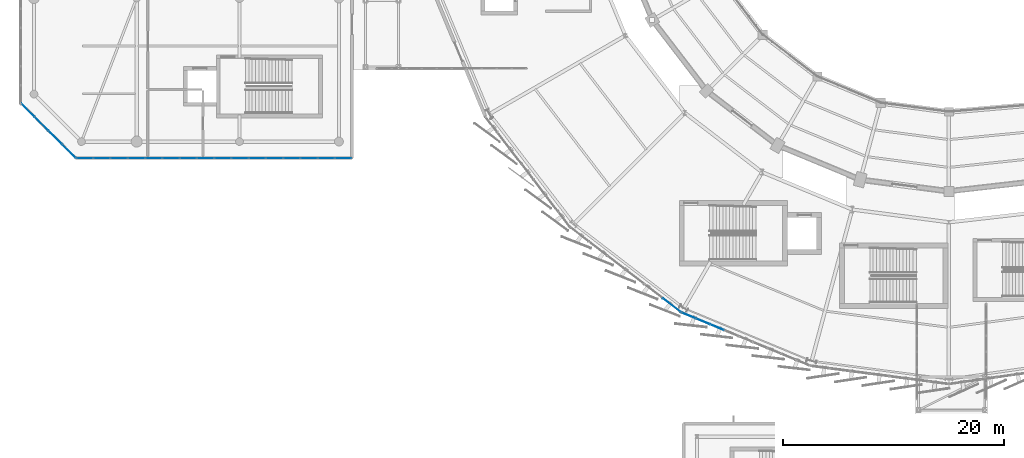
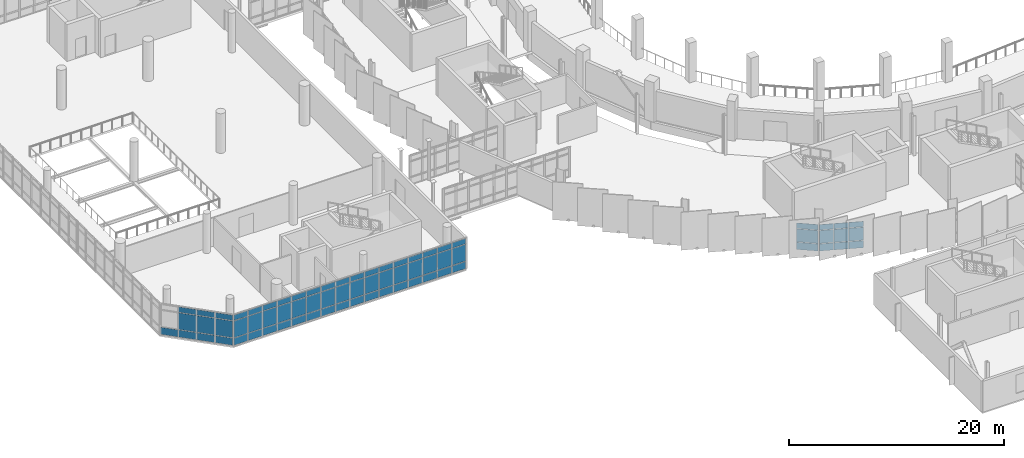
# One storey, part 79 of 125: 70 plates, 4 elements without a shape of their own.
"""IFC4 building model written with IfcOpenShell, lengths in metres."""

from ifc_helpers import new_model, si_unit, direction, frame, origin, origin_2d, place, context, subcontext, project, spatial, rectangle, extrude, material, layer, layer_set, type_object, element, aggregate, save


model = new_model("IFC4")

# Units and contexts
model_context = context("Model", 3, precision=1e-05, world=origin(), true_north=direction((0.0, 1.0)))
body_context = subcontext(model_context, "Body", "Model", "MODEL_VIEW")
ifc_project = project(units=[si_unit("LENGTHUNIT", "METRE"), si_unit("AREAUNIT", "SQUARE_METRE"), si_unit("VOLUMEUNIT", "CUBIC_METRE"), si_unit("PLANEANGLEUNIT", "RADIAN"), si_unit("MASSUNIT", "GRAM", prefix="KILO")], contexts=[model_context])

# Site, building, storey
site_placement = place(None, origin())
site = spatial("IfcSite", under=ifc_project, at=site_placement, CompositionType="ELEMENT")
building_placement = place(site_placement, origin())
building = spatial("IfcBuilding", under=site, at=building_placement, Name="Sohan Crest Arena", CompositionType="ELEMENT")
storey_placement = place(building_placement, frame((0.0, 0.0, 9.0)))
storey = spatial("IfcBuildingStorey", under=building, at=storey_placement, Name="L02", CompositionType="ELEMENT", Elevation=9.0)

# Curtain wall, plates
ifc_material_1 = material(Name="Thermally broken anodised aluminium", Category="aluminium")
ifc_layer_1 = layer(ifc_material_1, 0.199951171875, Name="Thermally broken anodised aluminium")
ifc_layer_set_1 = layer_set([ifc_layer_1], Name="Thermally broken anodised aluminium")
curtain_wall_type_1 = type_object("IfcCurtainWallType", Name="ARC-CW02", PredefinedType="NOTDEFINED", material=ifc_layer_set_1)
curtain_wall_1_placement = place(storey_placement, origin())
curtain_wall_1 = element("IfcCurtainWall", 1, at=curtain_wall_1_placement, inside=storey, type_object=curtain_wall_type_1, Name="Unitised curtain wall CW-213", PredefinedType="NOTDEFINED")
ifc_material_2 = material(Name="Low-E double-glazed insulated glass", Category="glass")
ifc_layer_2 = layer(ifc_material_2, 0.028076171875, Name="Low-E double-glazed insulated glass")
ifc_layer_set_2 = layer_set([ifc_layer_2], Name="Low-E double-glazed insulated glass")
plate_type_1 = type_object("IfcPlateType", Name="ARC-CNP01", PredefinedType="CURTAIN_PANEL", material=ifc_layer_set_2)
plate_1_placement = place(storey_placement, frame((19.797607421875, 50.0, 0.06005859375), z_axis=(0.0, 0.0, 1.0), x_axis=(1.0, 0.0, 0.0)))
plate_1 = element("IfcPlate", 2, at=plate_1_placement, type_object=plate_type_1, Name="CW-213 panel 1.1", PredefinedType="CURTAIN_PANEL", context=body_context, shape_type="SweptSolid", body=[
    extrude(rectangle(XDim=1.465087890625, YDim=0.028076171875, at=origin_2d()), origin(), (0.0, 0.0, 1.0), 0.81005859375),
])
plate_2_placement = place(storey_placement, frame((19.797607421875, 50.0, 0.93017578125), z_axis=(0.0, 0.0, 1.0), x_axis=(1.0, 0.0, 0.0)))
plate_2 = element("IfcPlate", 3, at=plate_2_placement, type_object=plate_type_1, Name="CW-213 panel 1.2", PredefinedType="CURTAIN_PANEL", context=body_context, shape_type="SweptSolid", body=[
    extrude(rectangle(XDim=1.465087890625, YDim=0.028076171875, at=origin_2d()), origin(), (0.0, 0.0, 1.0), 1.889892578125),
])
plate_3_placement = place(storey_placement, frame((19.797607421875, 50.0, 2.8798828125), z_axis=(0.0, 0.0, 1.0), x_axis=(1.0, 0.0, 0.0)))
plate_3 = element("IfcPlate", 4, at=plate_3_placement, type_object=plate_type_1, Name="CW-213 panel 1.3", PredefinedType="CURTAIN_PANEL", context=body_context, shape_type="SweptSolid", body=[
    extrude(rectangle(XDim=1.465087890625, YDim=0.028076171875, at=origin_2d()), origin(), (0.0, 0.0, 1.0), 0.610107421875),
])
plate_4_placement = place(storey_placement, frame((21.34375, 50.0, 0.06005859375), z_axis=(0.0, 0.0, 1.0), x_axis=(1.0, 0.0, 0.0)))
plate_4 = element("IfcPlate", 5, at=plate_4_placement, type_object=plate_type_1, Name="CW-213 panel 2.1", PredefinedType="CURTAIN_PANEL", context=body_context, shape_type="SweptSolid", body=[
    extrude(rectangle(XDim=1.49755859375, YDim=0.028076171875, at=origin_2d()), origin(), (0.0, 0.0, 1.0), 0.81005859375),
])
plate_5_placement = place(storey_placement, frame((21.34375, 50.0, 0.93017578125), z_axis=(0.0, 0.0, 1.0), x_axis=(1.0, 0.0, 0.0)))
plate_5 = element("IfcPlate", 6, at=plate_5_placement, type_object=plate_type_1, Name="CW-213 panel 2.2", PredefinedType="CURTAIN_PANEL", context=body_context, shape_type="SweptSolid", body=[
    extrude(rectangle(XDim=1.49755859375, YDim=0.028076171875, at=origin_2d()), origin(), (0.0, 0.0, 1.0), 1.889892578125),
])
plate_6_placement = place(storey_placement, frame((21.34375, 50.0, 2.8798828125), z_axis=(0.0, 0.0, 1.0), x_axis=(1.0, 0.0, 0.0)))
plate_6 = element("IfcPlate", 7, at=plate_6_placement, type_object=plate_type_1, Name="CW-213 panel 2.3", PredefinedType="CURTAIN_PANEL", context=body_context, shape_type="SweptSolid", body=[
    extrude(rectangle(XDim=1.49755859375, YDim=0.028076171875, at=origin_2d()), origin(), (0.0, 0.0, 1.0), 0.610107421875),
])
plate_7_placement = place(storey_placement, frame((22.90625, 50.0, 0.06005859375), z_axis=(0.0, 0.0, 1.0), x_axis=(1.0, 0.0, 0.0)))
plate_7 = element("IfcPlate", 8, at=plate_7_placement, type_object=plate_type_1, Name="CW-213 panel 3.1", PredefinedType="CURTAIN_PANEL", context=body_context, shape_type="SweptSolid", body=[
    extrude(rectangle(XDim=1.49755859375, YDim=0.028076171875, at=origin_2d()), origin(), (0.0, 0.0, 1.0), 0.81005859375),
])
plate_8_placement = place(storey_placement, frame((22.90625, 50.0, 0.93017578125), z_axis=(0.0, 0.0, 1.0), x_axis=(1.0, 0.0, 0.0)))
plate_8 = element("IfcPlate", 9, at=plate_8_placement, type_object=plate_type_1, Name="CW-213 panel 3.2", PredefinedType="CURTAIN_PANEL", context=body_context, shape_type="SweptSolid", body=[
    extrude(rectangle(XDim=1.49755859375, YDim=0.028076171875, at=origin_2d()), origin(), (0.0, 0.0, 1.0), 1.889892578125),
])
plate_9_placement = place(storey_placement, frame((22.90625, 50.0, 2.8798828125), z_axis=(0.0, 0.0, 1.0), x_axis=(1.0, 0.0, 0.0)))
plate_9 = element("IfcPlate", 10, at=plate_9_placement, type_object=plate_type_1, Name="CW-213 panel 3.3", PredefinedType="CURTAIN_PANEL", context=body_context, shape_type="SweptSolid", body=[
    extrude(rectangle(XDim=1.49755859375, YDim=0.028076171875, at=origin_2d()), origin(), (0.0, 0.0, 1.0), 0.610107421875),
])
plate_10_placement = place(storey_placement, frame((24.46875, 50.0, 0.06005859375), z_axis=(0.0, 0.0, 1.0), x_axis=(1.0, 0.0, 0.0)))
plate_10 = element("IfcPlate", 11, at=plate_10_placement, type_object=plate_type_1, Name="CW-213 panel 4.1", PredefinedType="CURTAIN_PANEL", context=body_context, shape_type="SweptSolid", body=[
    extrude(rectangle(XDim=1.49755859375, YDim=0.028076171875, at=origin_2d()), origin(), (0.0, 0.0, 1.0), 0.81005859375),
])
plate_11_placement = place(storey_placement, frame((24.46875, 50.0, 0.93017578125), z_axis=(0.0, 0.0, 1.0), x_axis=(1.0, 0.0, 0.0)))
plate_11 = element("IfcPlate", 12, at=plate_11_placement, type_object=plate_type_1, Name="CW-213 panel 4.2", PredefinedType="CURTAIN_PANEL", context=body_context, shape_type="SweptSolid", body=[
    extrude(rectangle(XDim=1.49755859375, YDim=0.028076171875, at=origin_2d()), origin(), (0.0, 0.0, 1.0), 1.889892578125),
])
plate_12_placement = place(storey_placement, frame((24.46875, 50.0, 2.8798828125), z_axis=(0.0, 0.0, 1.0), x_axis=(1.0, 0.0, 0.0)))
plate_12 = element("IfcPlate", 13, at=plate_12_placement, type_object=plate_type_1, Name="CW-213 panel 4.3", PredefinedType="CURTAIN_PANEL", context=body_context, shape_type="SweptSolid", body=[
    extrude(rectangle(XDim=1.49755859375, YDim=0.028076171875, at=origin_2d()), origin(), (0.0, 0.0, 1.0), 0.610107421875),
])
plate_13_placement = place(storey_placement, frame((26.03125, 50.0, 0.06005859375), z_axis=(0.0, 0.0, 1.0), x_axis=(1.0, 0.0, 0.0)))
plate_13 = element("IfcPlate", 14, at=plate_13_placement, type_object=plate_type_1, Name="CW-213 panel 5.1", PredefinedType="CURTAIN_PANEL", context=body_context, shape_type="SweptSolid", body=[
    extrude(rectangle(XDim=1.49755859375, YDim=0.028076171875, at=origin_2d()), origin(), (0.0, 0.0, 1.0), 0.81005859375),
])
plate_14_placement = place(storey_placement, frame((26.03125, 50.0, 0.93017578125), z_axis=(0.0, 0.0, 1.0), x_axis=(1.0, 0.0, 0.0)))
plate_14 = element("IfcPlate", 15, at=plate_14_placement, type_object=plate_type_1, Name="CW-213 panel 5.2", PredefinedType="CURTAIN_PANEL", context=body_context, shape_type="SweptSolid", body=[
    extrude(rectangle(XDim=1.49755859375, YDim=0.028076171875, at=origin_2d()), origin(), (0.0, 0.0, 1.0), 1.889892578125),
])
plate_15_placement = place(storey_placement, frame((26.03125, 50.0, 2.8798828125), z_axis=(0.0, 0.0, 1.0), x_axis=(1.0, 0.0, 0.0)))
plate_15 = element("IfcPlate", 16, at=plate_15_placement, type_object=plate_type_1, Name="CW-213 panel 5.3", PredefinedType="CURTAIN_PANEL", context=body_context, shape_type="SweptSolid", body=[
    extrude(rectangle(XDim=1.49755859375, YDim=0.028076171875, at=origin_2d()), origin(), (0.0, 0.0, 1.0), 0.610107421875),
])
plate_16_placement = place(storey_placement, frame((27.59375, 50.0, 0.06005859375), z_axis=(0.0, 0.0, 1.0), x_axis=(1.0, 0.0, 0.0)))
plate_16 = element("IfcPlate", 17, at=plate_16_placement, type_object=plate_type_1, Name="CW-213 panel 6.1", PredefinedType="CURTAIN_PANEL", context=body_context, shape_type="SweptSolid", body=[
    extrude(rectangle(XDim=1.49755859375, YDim=0.028076171875, at=origin_2d()), origin(), (0.0, 0.0, 1.0), 0.81005859375),
])
plate_17_placement = place(storey_placement, frame((27.59375, 50.0, 0.93017578125), z_axis=(0.0, 0.0, 1.0), x_axis=(1.0, 0.0, 0.0)))
plate_17 = element("IfcPlate", 18, at=plate_17_placement, type_object=plate_type_1, Name="CW-213 panel 6.2", PredefinedType="CURTAIN_PANEL", context=body_context, shape_type="SweptSolid", body=[
    extrude(rectangle(XDim=1.49755859375, YDim=0.028076171875, at=origin_2d()), origin(), (0.0, 0.0, 1.0), 1.889892578125),
])
plate_18_placement = place(storey_placement, frame((27.59375, 50.0, 2.8798828125), z_axis=(0.0, 0.0, 1.0), x_axis=(1.0, 0.0, 0.0)))
plate_18 = element("IfcPlate", 19, at=plate_18_placement, type_object=plate_type_1, Name="CW-213 panel 6.3", PredefinedType="CURTAIN_PANEL", context=body_context, shape_type="SweptSolid", body=[
    extrude(rectangle(XDim=1.49755859375, YDim=0.028076171875, at=origin_2d()), origin(), (0.0, 0.0, 1.0), 0.610107421875),
])
plate_19_placement = place(storey_placement, frame((29.15625, 50.0, 0.06005859375), z_axis=(0.0, 0.0, 1.0), x_axis=(1.0, 0.0, 0.0)))
plate_19 = element("IfcPlate", 20, at=plate_19_placement, type_object=plate_type_1, Name="CW-213 panel 7.1", PredefinedType="CURTAIN_PANEL", context=body_context, shape_type="SweptSolid", body=[
    extrude(rectangle(XDim=1.49755859375, YDim=0.028076171875, at=origin_2d()), origin(), (0.0, 0.0, 1.0), 0.81005859375),
])
plate_20_placement = place(storey_placement, frame((29.15625, 50.0, 0.93017578125), z_axis=(0.0, 0.0, 1.0), x_axis=(1.0, 0.0, 0.0)))
plate_20 = element("IfcPlate", 21, at=plate_20_placement, type_object=plate_type_1, Name="CW-213 panel 7.2", PredefinedType="CURTAIN_PANEL", context=body_context, shape_type="SweptSolid", body=[
    extrude(rectangle(XDim=1.49755859375, YDim=0.028076171875, at=origin_2d()), origin(), (0.0, 0.0, 1.0), 1.889892578125),
])
plate_21_placement = place(storey_placement, frame((29.15625, 50.0, 2.8798828125), z_axis=(0.0, 0.0, 1.0), x_axis=(1.0, 0.0, 0.0)))
plate_21 = element("IfcPlate", 22, at=plate_21_placement, type_object=plate_type_1, Name="CW-213 panel 7.3", PredefinedType="CURTAIN_PANEL", context=body_context, shape_type="SweptSolid", body=[
    extrude(rectangle(XDim=1.49755859375, YDim=0.028076171875, at=origin_2d()), origin(), (0.0, 0.0, 1.0), 0.610107421875),
])
plate_22_placement = place(storey_placement, frame((30.71875, 50.0, 0.06005859375), z_axis=(0.0, 0.0, 1.0), x_axis=(1.0, 0.0, 0.0)))
plate_22 = element("IfcPlate", 23, at=plate_22_placement, type_object=plate_type_1, Name="CW-213 panel 8.1", PredefinedType="CURTAIN_PANEL", context=body_context, shape_type="SweptSolid", body=[
    extrude(rectangle(XDim=1.49755859375, YDim=0.028076171875, at=origin_2d()), origin(), (0.0, 0.0, 1.0), 0.81005859375),
])
plate_23_placement = place(storey_placement, frame((30.71875, 50.0, 0.93017578125), z_axis=(0.0, 0.0, 1.0), x_axis=(1.0, 0.0, 0.0)))
plate_23 = element("IfcPlate", 24, at=plate_23_placement, type_object=plate_type_1, Name="CW-213 panel 8.2", PredefinedType="CURTAIN_PANEL", context=body_context, shape_type="SweptSolid", body=[
    extrude(rectangle(XDim=1.49755859375, YDim=0.028076171875, at=origin_2d()), origin(), (0.0, 0.0, 1.0), 1.889892578125),
])
plate_24_placement = place(storey_placement, frame((30.71875, 50.0, 2.8798828125), z_axis=(0.0, 0.0, 1.0), x_axis=(1.0, 0.0, 0.0)))
plate_24 = element("IfcPlate", 25, at=plate_24_placement, type_object=plate_type_1, Name="CW-213 panel 8.3", PredefinedType="CURTAIN_PANEL", context=body_context, shape_type="SweptSolid", body=[
    extrude(rectangle(XDim=1.49755859375, YDim=0.028076171875, at=origin_2d()), origin(), (0.0, 0.0, 1.0), 0.610107421875),
])
plate_25_placement = place(storey_placement, frame((32.28125, 50.0, 0.06005859375), z_axis=(0.0, 0.0, 1.0), x_axis=(1.0, 0.0, 0.0)))
plate_25 = element("IfcPlate", 26, at=plate_25_placement, type_object=plate_type_1, Name="CW-213 panel 9.1", PredefinedType="CURTAIN_PANEL", context=body_context, shape_type="SweptSolid", body=[
    extrude(rectangle(XDim=1.49755859375, YDim=0.028076171875, at=origin_2d()), origin(), (0.0, 0.0, 1.0), 0.81005859375),
])
plate_26_placement = place(storey_placement, frame((32.28125, 50.0, 0.93017578125), z_axis=(0.0, 0.0, 1.0), x_axis=(1.0, 0.0, 0.0)))
plate_26 = element("IfcPlate", 27, at=plate_26_placement, type_object=plate_type_1, Name="CW-213 panel 9.2", PredefinedType="CURTAIN_PANEL", context=body_context, shape_type="SweptSolid", body=[
    extrude(rectangle(XDim=1.49755859375, YDim=0.028076171875, at=origin_2d()), origin(), (0.0, 0.0, 1.0), 1.889892578125),
])
plate_27_placement = place(storey_placement, frame((32.28125, 50.0, 2.8798828125), z_axis=(0.0, 0.0, 1.0), x_axis=(1.0, 0.0, 0.0)))
plate_27 = element("IfcPlate", 28, at=plate_27_placement, type_object=plate_type_1, Name="CW-213 panel 9.3", PredefinedType="CURTAIN_PANEL", context=body_context, shape_type="SweptSolid", body=[
    extrude(rectangle(XDim=1.49755859375, YDim=0.028076171875, at=origin_2d()), origin(), (0.0, 0.0, 1.0), 0.610107421875),
])
plate_28_placement = place(storey_placement, frame((33.84375, 50.0, 0.06005859375), z_axis=(0.0, 0.0, 1.0), x_axis=(1.0, 0.0, 0.0)))
plate_28 = element("IfcPlate", 29, at=plate_28_placement, type_object=plate_type_1, Name="CW-213 panel 10.1", PredefinedType="CURTAIN_PANEL", context=body_context, shape_type="SweptSolid", body=[
    extrude(rectangle(XDim=1.49755859375, YDim=0.028076171875, at=origin_2d()), origin(), (0.0, 0.0, 1.0), 0.81005859375),
])
plate_29_placement = place(storey_placement, frame((33.84375, 50.0, 0.93017578125), z_axis=(0.0, 0.0, 1.0), x_axis=(1.0, 0.0, 0.0)))
plate_29 = element("IfcPlate", 30, at=plate_29_placement, type_object=plate_type_1, Name="CW-213 panel 10.2", PredefinedType="CURTAIN_PANEL", context=body_context, shape_type="SweptSolid", body=[
    extrude(rectangle(XDim=1.49755859375, YDim=0.028076171875, at=origin_2d()), origin(), (0.0, 0.0, 1.0), 1.889892578125),
])
plate_30_placement = place(storey_placement, frame((33.84375, 50.0, 2.8798828125), z_axis=(0.0, 0.0, 1.0), x_axis=(1.0, 0.0, 0.0)))
plate_30 = element("IfcPlate", 31, at=plate_30_placement, type_object=plate_type_1, Name="CW-213 panel 10.3", PredefinedType="CURTAIN_PANEL", context=body_context, shape_type="SweptSolid", body=[
    extrude(rectangle(XDim=1.49755859375, YDim=0.028076171875, at=origin_2d()), origin(), (0.0, 0.0, 1.0), 0.610107421875),
])
plate_31_placement = place(storey_placement, frame((35.40625, 50.0, 0.06005859375), z_axis=(0.0, 0.0, 1.0), x_axis=(1.0, 0.0, 0.0)))
plate_31 = element("IfcPlate", 32, at=plate_31_placement, type_object=plate_type_1, Name="CW-213 panel 11.1", PredefinedType="CURTAIN_PANEL", context=body_context, shape_type="SweptSolid", body=[
    extrude(rectangle(XDim=1.49755859375, YDim=0.028076171875, at=origin_2d()), origin(), (0.0, 0.0, 1.0), 0.81005859375),
])
plate_32_placement = place(storey_placement, frame((35.40625, 50.0, 0.93017578125), z_axis=(0.0, 0.0, 1.0), x_axis=(1.0, 0.0, 0.0)))
plate_32 = element("IfcPlate", 33, at=plate_32_placement, type_object=plate_type_1, Name="CW-213 panel 11.2", PredefinedType="CURTAIN_PANEL", context=body_context, shape_type="SweptSolid", body=[
    extrude(rectangle(XDim=1.49755859375, YDim=0.028076171875, at=origin_2d()), origin(), (0.0, 0.0, 1.0), 1.889892578125),
])
plate_33_placement = place(storey_placement, frame((35.40625, 50.0, 2.8798828125), z_axis=(0.0, 0.0, 1.0), x_axis=(1.0, 0.0, 0.0)))
plate_33 = element("IfcPlate", 34, at=plate_33_placement, type_object=plate_type_1, Name="CW-213 panel 11.3", PredefinedType="CURTAIN_PANEL", context=body_context, shape_type="SweptSolid", body=[
    extrude(rectangle(XDim=1.49755859375, YDim=0.028076171875, at=origin_2d()), origin(), (0.0, 0.0, 1.0), 0.610107421875),
])
plate_34_placement = place(storey_placement, frame((36.96875, 50.0, 0.06005859375), z_axis=(0.0, 0.0, 1.0), x_axis=(1.0, 0.0, 0.0)))
plate_34 = element("IfcPlate", 35, at=plate_34_placement, type_object=plate_type_1, Name="CW-213 panel 12.1", PredefinedType="CURTAIN_PANEL", context=body_context, shape_type="SweptSolid", body=[
    extrude(rectangle(XDim=1.49755859375, YDim=0.028076171875, at=origin_2d()), origin(), (0.0, 0.0, 1.0), 0.81005859375),
])
plate_35_placement = place(storey_placement, frame((36.96875, 50.0, 0.93017578125), z_axis=(0.0, 0.0, 1.0), x_axis=(1.0, 0.0, 0.0)))
plate_35 = element("IfcPlate", 36, at=plate_35_placement, type_object=plate_type_1, Name="CW-213 panel 12.2", PredefinedType="CURTAIN_PANEL", context=body_context, shape_type="SweptSolid", body=[
    extrude(rectangle(XDim=1.49755859375, YDim=0.028076171875, at=origin_2d()), origin(), (0.0, 0.0, 1.0), 1.889892578125),
])
plate_36_placement = place(storey_placement, frame((36.96875, 50.0, 2.8798828125), z_axis=(0.0, 0.0, 1.0), x_axis=(1.0, 0.0, 0.0)))
plate_36 = element("IfcPlate", 37, at=plate_36_placement, type_object=plate_type_1, Name="CW-213 panel 12.3", PredefinedType="CURTAIN_PANEL", context=body_context, shape_type="SweptSolid", body=[
    extrude(rectangle(XDim=1.49755859375, YDim=0.028076171875, at=origin_2d()), origin(), (0.0, 0.0, 1.0), 0.610107421875),
])
plate_37_placement = place(storey_placement, frame((38.53125, 50.0, 0.06005859375), z_axis=(0.0, 0.0, 1.0), x_axis=(1.0, 0.0, 0.0)))
plate_37 = element("IfcPlate", 38, at=plate_37_placement, type_object=plate_type_1, Name="CW-213 panel 13.1", PredefinedType="CURTAIN_PANEL", context=body_context, shape_type="SweptSolid", body=[
    extrude(rectangle(XDim=1.49755859375, YDim=0.028076171875, at=origin_2d()), origin(), (0.0, 0.0, 1.0), 0.81005859375),
])
plate_38_placement = place(storey_placement, frame((38.53125, 50.0, 0.93017578125), z_axis=(0.0, 0.0, 1.0), x_axis=(1.0, 0.0, 0.0)))
plate_38 = element("IfcPlate", 39, at=plate_38_placement, type_object=plate_type_1, Name="CW-213 panel 13.2", PredefinedType="CURTAIN_PANEL", context=body_context, shape_type="SweptSolid", body=[
    extrude(rectangle(XDim=1.49755859375, YDim=0.028076171875, at=origin_2d()), origin(), (0.0, 0.0, 1.0), 1.889892578125),
])
plate_39_placement = place(storey_placement, frame((38.53125, 50.0, 2.8798828125), z_axis=(0.0, 0.0, 1.0), x_axis=(1.0, 0.0, 0.0)))
plate_39 = element("IfcPlate", 40, at=plate_39_placement, type_object=plate_type_1, Name="CW-213 panel 13.3", PredefinedType="CURTAIN_PANEL", context=body_context, shape_type="SweptSolid", body=[
    extrude(rectangle(XDim=1.49755859375, YDim=0.028076171875, at=origin_2d()), origin(), (0.0, 0.0, 1.0), 0.610107421875),
])
plate_40_placement = place(storey_placement, frame((40.09375, 50.0, 0.06005859375), z_axis=(0.0, 0.0, 1.0), x_axis=(1.0, 0.0, 0.0)))
plate_40 = element("IfcPlate", 41, at=plate_40_placement, type_object=plate_type_1, Name="CW-213 panel 14.1", PredefinedType="CURTAIN_PANEL", context=body_context, shape_type="SweptSolid", body=[
    extrude(rectangle(XDim=1.49755859375, YDim=0.028076171875, at=origin_2d()), origin(), (0.0, 0.0, 1.0), 0.81005859375),
])
plate_41_placement = place(storey_placement, frame((40.09375, 50.0, 0.93017578125), z_axis=(0.0, 0.0, 1.0), x_axis=(1.0, 0.0, 0.0)))
plate_41 = element("IfcPlate", 42, at=plate_41_placement, type_object=plate_type_1, Name="CW-213 panel 14.2", PredefinedType="CURTAIN_PANEL", context=body_context, shape_type="SweptSolid", body=[
    extrude(rectangle(XDim=1.49755859375, YDim=0.028076171875, at=origin_2d()), origin(), (0.0, 0.0, 1.0), 1.889892578125),
])
plate_42_placement = place(storey_placement, frame((40.09375, 50.0, 2.8798828125), z_axis=(0.0, 0.0, 1.0), x_axis=(1.0, 0.0, 0.0)))
plate_42 = element("IfcPlate", 43, at=plate_42_placement, type_object=plate_type_1, Name="CW-213 panel 14.3", PredefinedType="CURTAIN_PANEL", context=body_context, shape_type="SweptSolid", body=[
    extrude(rectangle(XDim=1.49755859375, YDim=0.028076171875, at=origin_2d()), origin(), (0.0, 0.0, 1.0), 0.610107421875),
])
plate_43_placement = place(storey_placement, frame((41.65625, 50.0, 0.06005859375), z_axis=(0.0, 0.0, 1.0), x_axis=(1.0, 0.0, 0.0)))
plate_43 = element("IfcPlate", 44, at=plate_43_placement, type_object=plate_type_1, Name="CW-213 panel 15.1", PredefinedType="CURTAIN_PANEL", context=body_context, shape_type="SweptSolid", body=[
    extrude(rectangle(XDim=1.49755859375, YDim=0.028076171875, at=origin_2d()), origin(), (0.0, 0.0, 1.0), 0.81005859375),
])
plate_44_placement = place(storey_placement, frame((41.65625, 50.0, 0.93017578125), z_axis=(0.0, 0.0, 1.0), x_axis=(1.0, 0.0, 0.0)))
plate_44 = element("IfcPlate", 45, at=plate_44_placement, type_object=plate_type_1, Name="CW-213 panel 15.2", PredefinedType="CURTAIN_PANEL", context=body_context, shape_type="SweptSolid", body=[
    extrude(rectangle(XDim=1.49755859375, YDim=0.028076171875, at=origin_2d()), origin(), (0.0, 0.0, 1.0), 1.889892578125),
])
plate_45_placement = place(storey_placement, frame((41.65625, 50.0, 2.8798828125), z_axis=(0.0, 0.0, 1.0), x_axis=(1.0, 0.0, 0.0)))
plate_45 = element("IfcPlate", 46, at=plate_45_placement, type_object=plate_type_1, Name="CW-213 panel 15.3", PredefinedType="CURTAIN_PANEL", context=body_context, shape_type="SweptSolid", body=[
    extrude(rectangle(XDim=1.49755859375, YDim=0.028076171875, at=origin_2d()), origin(), (0.0, 0.0, 1.0), 0.610107421875),
])
plate_46_placement = place(storey_placement, frame((43.202392578125, 50.0, 0.06005859375), z_axis=(0.0, 0.0, 1.0), x_axis=(1.0, 0.0, 0.0)))
plate_46 = element("IfcPlate", 47, at=plate_46_placement, type_object=plate_type_1, Name="CW-213 panel 16.1", PredefinedType="CURTAIN_PANEL", context=body_context, shape_type="SweptSolid", body=[
    extrude(rectangle(XDim=1.465087890625, YDim=0.028076171875, at=origin_2d()), origin(), (0.0, 0.0, 1.0), 0.81005859375),
])
plate_47_placement = place(storey_placement, frame((43.202392578125, 50.0, 0.93017578125), z_axis=(0.0, 0.0, 1.0), x_axis=(1.0, 0.0, 0.0)))
plate_47 = element("IfcPlate", 48, at=plate_47_placement, type_object=plate_type_1, Name="CW-213 panel 16.2", PredefinedType="CURTAIN_PANEL", context=body_context, shape_type="SweptSolid", body=[
    extrude(rectangle(XDim=1.465087890625, YDim=0.028076171875, at=origin_2d()), origin(), (0.0, 0.0, 1.0), 1.889892578125),
])
plate_48_placement = place(storey_placement, frame((43.202392578125, 50.0, 2.8798828125), z_axis=(0.0, 0.0, 1.0), x_axis=(1.0, 0.0, 0.0)))
plate_48 = element("IfcPlate", 49, at=plate_48_placement, type_object=plate_type_1, Name="CW-213 panel 16.3", PredefinedType="CURTAIN_PANEL", context=body_context, shape_type="SweptSolid", body=[
    extrude(rectangle(XDim=1.465087890625, YDim=0.028076171875, at=origin_2d()), origin(), (0.0, 0.0, 1.0), 0.610107421875),
])
aggregate(curtain_wall_1, [plate_1, plate_2, plate_3, plate_4, plate_5, plate_6, plate_7, plate_8, plate_9, plate_10, plate_11, plate_12, plate_13, plate_14, plate_15, plate_16, plate_17, plate_18, plate_19, plate_20, plate_21, plate_22, plate_23, plate_24, plate_25, plate_26, plate_27, plate_28, plate_29, plate_30, plate_31, plate_32, plate_33, plate_34, plate_35, plate_36, plate_37, plate_38, plate_39, plate_40, plate_41, plate_42, plate_43, plate_44, plate_45, plate_46, plate_47, plate_48])

curtain_wall_2_placement = place(storey_placement, origin())
curtain_wall_2 = element("IfcCurtainWall", 50, at=curtain_wall_2_placement, inside=storey, type_object=curtain_wall_type_1, Name="Unitised curtain wall CW-219", PredefinedType="NOTDEFINED")
plate_49_placement = place(storey_placement, frame((14.636474609375, 54.363525390625, 0.06005859375), z_axis=(0.0, 0.0, 1.0), x_axis=(0.707106781187, -0.707106781187, 0.0)))
plate_49 = element("IfcPlate", 51, at=plate_49_placement, type_object=plate_type_1, Name="CW-219 panel 1.1", PredefinedType="CURTAIN_PANEL", context=body_context, shape_type="SweptSolid", body=[
    extrude(rectangle(XDim=1.670166015625, YDim=0.028076171875, at=origin_2d()), origin(), (0.0, 0.0, 1.0), 0.81005859375),
])
plate_50_placement = place(storey_placement, frame((15.875, 53.125, 0.06005859375), z_axis=(0.0, 0.0, 1.0), x_axis=(0.707106781187, -0.707106781187, 0.0)))
plate_50 = element("IfcPlate", 52, at=plate_50_placement, type_object=plate_type_1, Name="CW-219 panel 2.1", PredefinedType="CURTAIN_PANEL", context=body_context, shape_type="SweptSolid", body=[
    extrude(rectangle(XDim=1.702880859375, YDim=0.028076171875, at=origin_2d()), origin(), (0.0, 0.0, 1.0), 0.81005859375),
])
plate_51_placement = place(storey_placement, frame((15.875, 53.125, 0.93017578125), z_axis=(0.0, 0.0, 1.0), x_axis=(0.707106781187, -0.707106781187, 0.0)))
plate_51 = element("IfcPlate", 53, at=plate_51_placement, type_object=plate_type_1, Name="CW-219 panel 2.2", PredefinedType="CURTAIN_PANEL", context=body_context, shape_type="SweptSolid", body=[
    extrude(rectangle(XDim=1.702880859375, YDim=0.028076171875, at=origin_2d()), origin(), (0.0, 0.0, 1.0), 1.889892578125),
])
plate_52_placement = place(storey_placement, frame((15.875, 53.125, 2.8798828125), z_axis=(0.0, 0.0, 1.0), x_axis=(0.707106781187, -0.707106781187, 0.0)))
plate_52 = element("IfcPlate", 54, at=plate_52_placement, type_object=plate_type_1, Name="CW-219 panel 2.3", PredefinedType="CURTAIN_PANEL", context=body_context, shape_type="SweptSolid", body=[
    extrude(rectangle(XDim=1.702880859375, YDim=0.028076171875, at=origin_2d()), origin(), (0.0, 0.0, 1.0), 0.610107421875),
])
plate_53_placement = place(storey_placement, frame((17.125, 51.875, 0.06005859375), z_axis=(0.0, 0.0, 1.0), x_axis=(0.707106781187, -0.707106781187, 0.0)))
plate_53 = element("IfcPlate", 55, at=plate_53_placement, type_object=plate_type_1, Name="CW-219 panel 3.1", PredefinedType="CURTAIN_PANEL", context=body_context, shape_type="SweptSolid", body=[
    extrude(rectangle(XDim=1.702880859375, YDim=0.028076171875, at=origin_2d()), origin(), (0.0, 0.0, 1.0), 0.81005859375),
])
plate_54_placement = place(storey_placement, frame((17.125, 51.875, 0.93017578125), z_axis=(0.0, 0.0, 1.0), x_axis=(0.707106781187, -0.707106781187, 0.0)))
plate_54 = element("IfcPlate", 56, at=plate_54_placement, type_object=plate_type_1, Name="CW-219 panel 3.2", PredefinedType="CURTAIN_PANEL", context=body_context, shape_type="SweptSolid", body=[
    extrude(rectangle(XDim=1.702880859375, YDim=0.028076171875, at=origin_2d()), origin(), (0.0, 0.0, 1.0), 1.889892578125),
])
plate_55_placement = place(storey_placement, frame((17.125, 51.875, 2.8798828125), z_axis=(0.0, 0.0, 1.0), x_axis=(0.707106781187, -0.707106781187, 0.0)))
plate_55 = element("IfcPlate", 57, at=plate_55_placement, type_object=plate_type_1, Name="CW-219 panel 3.3", PredefinedType="CURTAIN_PANEL", context=body_context, shape_type="SweptSolid", body=[
    extrude(rectangle(XDim=1.702880859375, YDim=0.028076171875, at=origin_2d()), origin(), (0.0, 0.0, 1.0), 0.610107421875),
])
plate_56_placement = place(storey_placement, frame((18.363525390625, 50.636474609375, 0.06005859375), z_axis=(0.0, 0.0, 1.0), x_axis=(0.707106781187, -0.707106781187, 0.0)))
plate_56 = element("IfcPlate", 58, at=plate_56_placement, type_object=plate_type_1, Name="CW-219 panel 4.1", PredefinedType="CURTAIN_PANEL", context=body_context, shape_type="SweptSolid", body=[
    extrude(rectangle(XDim=1.670166015625, YDim=0.028076171875, at=origin_2d()), origin(), (0.0, 0.0, 1.0), 0.81005859375),
])
plate_57_placement = place(storey_placement, frame((18.363525390625, 50.636474609375, 0.93017578125), z_axis=(0.0, 0.0, 1.0), x_axis=(0.707106781187, -0.707106781187, 0.0)))
plate_57 = element("IfcPlate", 59, at=plate_57_placement, type_object=plate_type_1, Name="CW-219 panel 4.2", PredefinedType="CURTAIN_PANEL", context=body_context, shape_type="SweptSolid", body=[
    extrude(rectangle(XDim=1.670166015625, YDim=0.028076171875, at=origin_2d()), origin(), (0.0, 0.0, 1.0), 1.889892578125),
])
plate_58_placement = place(storey_placement, frame((18.363525390625, 50.636474609375, 2.8798828125), z_axis=(0.0, 0.0, 1.0), x_axis=(0.707106781187, -0.707106781187, 0.0)))
plate_58 = element("IfcPlate", 60, at=plate_58_placement, type_object=plate_type_1, Name="CW-219 panel 4.3", PredefinedType="CURTAIN_PANEL", context=body_context, shape_type="SweptSolid", body=[
    extrude(rectangle(XDim=1.670166015625, YDim=0.028076171875, at=origin_2d()), origin(), (0.0, 0.0, 1.0), 0.610107421875),
])
aggregate(curtain_wall_2, [plate_49, plate_50, plate_51, plate_52, plate_53, plate_54, plate_55, plate_56, plate_57, plate_58])

ifc_layer_3 = layer(ifc_material_1, 0.239990234375, Name="Thermally broken anodised aluminium")
ifc_layer_set_3 = layer_set([ifc_layer_3], Name="Thermally broken anodised aluminium")
curtain_wall_type_2 = type_object("IfcCurtainWallType", Name="ARC-CW04", PredefinedType="NOTDEFINED", material=ifc_layer_set_3)
curtain_wall_3_placement = place(storey_placement, origin())
curtain_wall_3 = element("IfcCurtainWall", 61, at=curtain_wall_3_placement, inside=storey, type_object=curtain_wall_type_2, Name="Unitised curtain wall CW-057", PredefinedType="NOTDEFINED")
ifc_layer_4 = layer(ifc_material_2, 0.031982421875, Name="Low-E double-glazed insulated glass")
ifc_layer_set_4 = layer_set([ifc_layer_4], Name="Low-E double-glazed insulated glass")
plate_type_2 = type_object("IfcPlateType", Name="ARC-CNP02", PredefinedType="CURTAIN_PANEL", material=ifc_layer_set_4)
plate_59_placement = place(storey_placement, frame((72.926025390625, 36.692626953125, 0.06005859375), z_axis=(0.0, 0.0, 1.0), x_axis=(0.79332886296, -0.60879332716, 0.0)))
plate_59 = element("IfcPlate", 62, at=plate_59_placement, type_object=plate_type_2, Name="CW-057 panel 6.1", PredefinedType="CURTAIN_PANEL", context=body_context, shape_type="SweptSolid", body=[
    extrude(rectangle(XDim=2.010498046875, YDim=0.031982421875, at=origin_2d()), origin(), (0.0, 0.0, 1.0), 0.81005859375),
])
plate_60_placement = place(storey_placement, frame((72.926025390625, 36.692626953125, 0.929931640625), z_axis=(0.0, 0.0, 1.0), x_axis=(0.79332886296, -0.60879332716, 0.0)))
plate_60 = element("IfcPlate", 63, at=plate_60_placement, type_object=plate_type_2, Name="CW-057 panel 6.2", PredefinedType="CURTAIN_PANEL", context=body_context, shape_type="SweptSolid", body=[
    extrude(rectangle(XDim=2.010498046875, YDim=0.031982421875, at=origin_2d()), origin(), (0.0, 0.0, 1.0), 1.4599609375),
])
plate_61_placement = place(storey_placement, frame((72.926025390625, 36.692626953125, 2.44970703125), z_axis=(0.0, 0.0, 1.0), x_axis=(0.79332886296, -0.60879332716, 0.0)))
plate_61 = element("IfcPlate", 64, at=plate_61_placement, type_object=plate_type_2, Name="CW-057 panel 6.3", PredefinedType="CURTAIN_PANEL", context=body_context, shape_type="SweptSolid", body=[
    extrude(rectangle(XDim=2.010498046875, YDim=0.031982421875, at=origin_2d()), origin(), (0.0, 0.0, 1.0), 0.610107421875),
])
aggregate(curtain_wall_3, [plate_59, plate_60, plate_61])

ifc_layer_5 = layer(ifc_material_1, 0.18994140625, Name="Thermally broken anodised aluminium")
ifc_layer_set_5 = layer_set([ifc_layer_5], Name="Thermally broken anodised aluminium")
curtain_wall_type_3 = type_object("IfcCurtainWallType", Name="ARC-CW05", PredefinedType="NOTDEFINED", material=ifc_layer_set_5)
curtain_wall_4_placement = place(storey_placement, origin())
curtain_wall_4 = element("IfcCurtainWall", 65, at=curtain_wall_4_placement, inside=storey, type_object=curtain_wall_type_3, Name="Unitised curtain wall CW-058", PredefinedType="NOTDEFINED")
ifc_material_3 = material(Name="Ceramic-fritted solar-control insulated glass", Category="glass")
ifc_layer_6 = layer(ifc_material_3, 0.035888671875, Name="Ceramic-fritted solar-control insulated glass")
ifc_layer_set_6 = layer_set([ifc_layer_6], Name="Ceramic-fritted solar-control insulated glass")
plate_type_3 = type_object("IfcPlateType", Name="ARC-CNP03", PredefinedType="CURTAIN_PANEL", material=ifc_layer_set_6)
plate_62_placement = place(storey_placement, frame((74.4404296875, 35.765380859375, 0.06494140625), z_axis=(0.0, 0.0, 1.0), x_axis=(0.92388192189, -0.382677663845, 0.0)))
plate_62 = element("IfcPlate", 66, at=plate_62_placement, type_object=plate_type_3, Name="CW-058 panel 1.1", PredefinedType="CURTAIN_PANEL", context=body_context, shape_type="SweptSolid", body=[
    extrude(rectangle(XDim=1.30029296875, YDim=0.035888671875, at=origin_2d()), origin(), (0.0, 0.0, 1.0), 0.802490234375),
])
plate_63_placement = place(storey_placement, frame((74.4404296875, 35.765380859375, 0.932373046875), z_axis=(0.0, 0.0, 1.0), x_axis=(0.92388192189, -0.382677663845, 0.0)))
plate_63 = element("IfcPlate", 67, at=plate_63_placement, type_object=plate_type_3, Name="CW-058 panel 1.2", PredefinedType="CURTAIN_PANEL", context=body_context, shape_type="SweptSolid", body=[
    extrude(rectangle(XDim=1.30029296875, YDim=0.035888671875, at=origin_2d()), origin(), (0.0, 0.0, 1.0), 1.455078125),
])
plate_64_placement = place(storey_placement, frame((74.4404296875, 35.765380859375, 2.452392578125), z_axis=(0.0, 0.0, 1.0), x_axis=(0.92388192189, -0.382677663845, 0.0)))
plate_64 = element("IfcPlate", 68, at=plate_64_placement, type_object=plate_type_3, Name="CW-058 panel 1.3", PredefinedType="CURTAIN_PANEL", context=body_context, shape_type="SweptSolid", body=[
    extrude(rectangle(XDim=1.30029296875, YDim=0.035888671875, at=origin_2d()), origin(), (0.0, 0.0, 1.0), 0.6025390625),
])
plate_65_placement = place(storey_placement, frame((75.722412109375, 35.234375, 0.06494140625), z_axis=(0.0, 0.0, 1.0), x_axis=(0.92388192189, -0.382677663845, 0.0)))
plate_65 = element("IfcPlate", 69, at=plate_65_placement, type_object=plate_type_3, Name="CW-058 panel 2.1", PredefinedType="CURTAIN_PANEL", context=body_context, shape_type="SweptSolid", body=[
    extrude(rectangle(XDim=1.335205078125, YDim=0.035888671875, at=origin_2d()), origin(), (0.0, 0.0, 1.0), 0.802490234375),
])
plate_66_placement = place(storey_placement, frame((75.722412109375, 35.234375, 0.932373046875), z_axis=(0.0, 0.0, 1.0), x_axis=(0.92388192189, -0.382677663845, 0.0)))
plate_66 = element("IfcPlate", 70, at=plate_66_placement, type_object=plate_type_3, Name="CW-058 panel 2.2", PredefinedType="CURTAIN_PANEL", context=body_context, shape_type="SweptSolid", body=[
    extrude(rectangle(XDim=1.335205078125, YDim=0.035888671875, at=origin_2d()), origin(), (0.0, 0.0, 1.0), 1.455078125),
])
plate_67_placement = place(storey_placement, frame((75.722412109375, 35.234375, 2.452392578125), z_axis=(0.0, 0.0, 1.0), x_axis=(0.92388192189, -0.382677663845, 0.0)))
plate_67 = element("IfcPlate", 71, at=plate_67_placement, type_object=plate_type_3, Name="CW-058 panel 2.3", PredefinedType="CURTAIN_PANEL", context=body_context, shape_type="SweptSolid", body=[
    extrude(rectangle(XDim=1.335205078125, YDim=0.035888671875, at=origin_2d()), origin(), (0.0, 0.0, 1.0), 0.6025390625),
])
plate_68_placement = place(storey_placement, frame((77.020751953125, 34.696533203125, 0.06494140625), z_axis=(0.0, 0.0, 1.0), x_axis=(0.92388192189, -0.382677663845, 0.0)))
plate_68 = element("IfcPlate", 72, at=plate_68_placement, type_object=plate_type_3, Name="CW-058 panel 3.1", PredefinedType="CURTAIN_PANEL", context=body_context, shape_type="SweptSolid", body=[
    extrude(rectangle(XDim=1.335205078125, YDim=0.035888671875, at=origin_2d()), origin(), (0.0, 0.0, 1.0), 0.802490234375),
])
plate_69_placement = place(storey_placement, frame((77.020751953125, 34.696533203125, 0.932373046875), z_axis=(0.0, 0.0, 1.0), x_axis=(0.92388192189, -0.382677663845, 0.0)))
plate_69 = element("IfcPlate", 73, at=plate_69_placement, type_object=plate_type_3, Name="CW-058 panel 3.2", PredefinedType="CURTAIN_PANEL", context=body_context, shape_type="SweptSolid", body=[
    extrude(rectangle(XDim=1.335205078125, YDim=0.035888671875, at=origin_2d()), origin(), (0.0, 0.0, 1.0), 1.455078125),
])
plate_70_placement = place(storey_placement, frame((77.020751953125, 34.696533203125, 2.452392578125), z_axis=(0.0, 0.0, 1.0), x_axis=(0.92388192189, -0.382677663845, 0.0)))
plate_70 = element("IfcPlate", 74, at=plate_70_placement, type_object=plate_type_3, Name="CW-058 panel 3.3", PredefinedType="CURTAIN_PANEL", context=body_context, shape_type="SweptSolid", body=[
    extrude(rectangle(XDim=1.335205078125, YDim=0.035888671875, at=origin_2d()), origin(), (0.0, 0.0, 1.0), 0.6025390625),
])
aggregate(curtain_wall_4, [plate_62, plate_63, plate_64, plate_65, plate_66, plate_67, plate_68, plate_69, plate_70])

save(model, "model.ifc")
